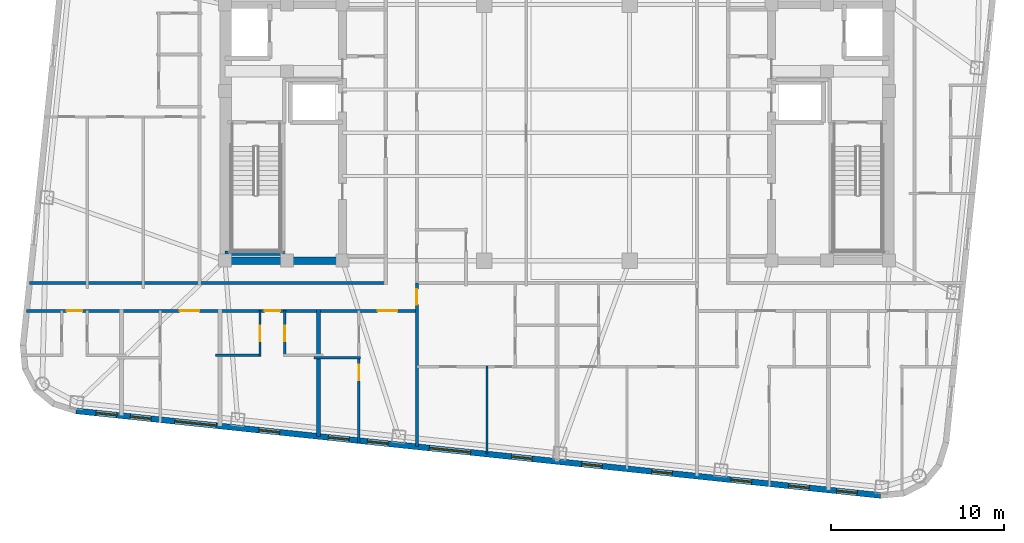
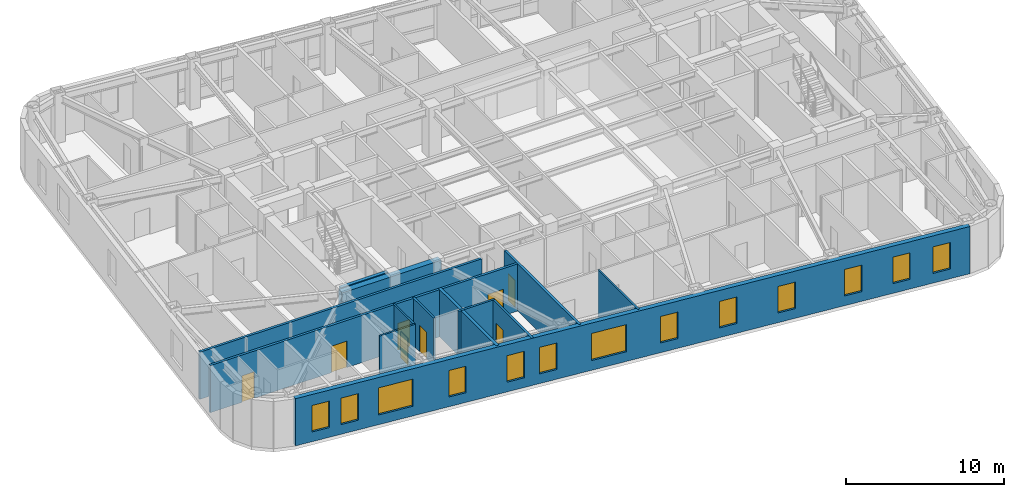
# One storey, part 8 of 16: 13 walls, 13 windows, 8 doors, 21 openings.
"""IFC4 building model written with IfcOpenShell, lengths in metres."""

from ifc_helpers import new_model, si_unit, direction, frame, frame_2d, origin, place, context, subcontext, project, spatial, rectangle, extrude, material, layer, layer_set, type_object, element, fill, save


model = new_model("IFC4")

# Units and contexts
model_context = context("Model", 3, precision=1e-05, world=origin(), true_north=direction((0.0, 1.0)))
body_context = subcontext(model_context, "Body", "Model", "MODEL_VIEW")
ifc_project = project(units=[si_unit("LENGTHUNIT", "METRE"), si_unit("AREAUNIT", "SQUARE_METRE"), si_unit("VOLUMEUNIT", "CUBIC_METRE"), si_unit("PLANEANGLEUNIT", "RADIAN"), si_unit("MASSUNIT", "GRAM", prefix="KILO")], contexts=[model_context])

# Site, building, storey
site_placement = place(None, origin())
site = spatial("IfcSite", under=ifc_project, at=site_placement, CompositionType="ELEMENT")
building_placement = place(site_placement, origin())
building = spatial("IfcBuilding", under=site, at=building_placement, Name="Voryun Gate Residences", CompositionType="ELEMENT")
storey_placement = place(building_placement, frame((0.0, 0.0, 267.800048828125)))
storey = spatial("IfcBuildingStorey", under=building, at=storey_placement, Name="L66", CompositionType="ELEMENT", Elevation=267.800048828125)

# Walls
ifc_material_1 = material(Name="Concrete C50/60", Category="concrete")
ifc_layer_1 = layer(ifc_material_1, 0.449951171875, Name="CW_CORE_450")
ifc_layer_set_1 = layer_set([ifc_layer_1], Name="Concrete C50/60")
wall_type_1 = type_object("IfcWallType", Name="CW_CORE_450", PredefinedType="SHEAR", material=ifc_layer_set_1)
wall_1_placement = place(storey_placement, frame((-19.425048828125, -7.39990234375, 0.0), z_axis=(0.0, 0.0, 1.0), x_axis=(1.0, 0.0, 0.0)))
element("IfcWall", 1, at=wall_1_placement, inside=storey, type_object=wall_type_1, Name="L66 Core shear wall CW-L66-WS", PredefinedType="SHEAR", context=body_context, shape_type="SweptSolid", body=[
    extrude(rectangle(XDim=7.25, YDim=0.449951171875, at=frame_2d((3.625, 0.0))), origin(), (0.0, 0.0, 1.0), 3.64990234375),
])
ifc_material_2 = material(Name="Gypsum acoustic fireboard")
ifc_layer_2 = layer(ifc_material_2, 0.179931640625, Name="W_CORR_RATED_180")
ifc_layer_set_2 = layer_set([ifc_layer_2], Name="Gypsum acoustic fireboard")
wall_type_2 = type_object("IfcWallType", Name="W_CORR_RATED_180", PredefinedType="PARTITIONING", material=ifc_layer_set_2)
wall_2_placement = place(storey_placement, frame((-30.4912109375, -8.68994140625, 0.0), z_axis=(0.0, 0.0, 1.0), x_axis=(1.0, 0.0, 0.0)))
element("IfcWall", 2, at=wall_2_placement, inside=storey, type_object=wall_type_2, Name="Partition wall WP-L66-CWING-WS", PredefinedType="PARTITIONING", context=body_context, shape_type="SweptSolid", body=[
    extrude(rectangle(XDim=20.611328125, YDim=0.179931640625, at=frame_2d((10.3056640625, 0.0))), origin(), (0.0, 0.0, 1.0), 3.64990234375),
])

# Wall, openings, doors
wall_3_placement = place(storey_placement, frame((-30.660400390625, -10.300048828125, 0.0), z_axis=(0.0, 0.0, 1.0), x_axis=(1.0, 0.0, 0.0)))
wall_3 = element("IfcWall", 3, at=wall_3_placement, inside=storey, type_object=wall_type_2, Name="Partition wall WP-L66-SCORR-W", PredefinedType="PARTITIONING", context=body_context, shape_type="SweptSolid", body=[
    extrude(rectangle(XDim=22.580322265625, YDim=0.179931640625, at=frame_2d((11.2900390625, 0.0))), origin(), (0.0, 0.0, 1.0), 3.64990234375),
])
opening_1_placement = place(wall_3_placement, frame((2.318359375, 0.0, 0.0)))
opening_1 = element("IfcOpeningElement", 4, at=opening_1_placement, cuts=wall_3, Name="Opening D-INT-2", PredefinedType="OPENING", context=body_context, shape_type="SweptSolid", body=[
    extrude(rectangle(XDim=0.89990234375, YDim=2.050048828125, at=frame_2d((0.449951171875, 1.02490234375))), frame((0.0, 0.099853515625, 0.0), z_axis=(0.0, -1.0, 0.0), x_axis=(1.0, 0.0, 0.0)), (0.0, 0.0, 1.0), 0.199951171875),
])
opening_2_placement = place(wall_3_placement, frame((8.845458984375, 0.0, 0.0)))
opening_2 = element("IfcOpeningElement", 5, at=opening_2_placement, cuts=wall_3, Name="Opening D-UNIT-1", PredefinedType="OPENING", context=body_context, shape_type="SweptSolid", body=[
    extrude(rectangle(XDim=1.14990234375, YDim=2.050048828125, at=frame_2d((0.574951171875, 1.02490234375))), frame((0.0, 0.099853515625, 0.0), z_axis=(0.0, -1.0, 0.0), x_axis=(1.0, 0.0, 0.0)), (0.0, 0.0, 1.0), 0.199951171875),
])
opening_3_placement = place(wall_3_placement, frame((13.757568359375, 0.0, 0.0)))
opening_3 = element("IfcOpeningElement", 6, at=opening_3_placement, cuts=wall_3, Name="Opening D-INT-2", PredefinedType="OPENING", context=body_context, shape_type="SweptSolid", body=[
    extrude(rectangle(XDim=0.89990234375, YDim=2.050048828125, at=frame_2d((0.449951171875, 1.02490234375))), frame((0.0, 0.099853515625, 0.0), z_axis=(0.0, -1.0, 0.0), x_axis=(1.0, 0.0, 0.0)), (0.0, 0.0, 1.0), 0.199951171875),
])
opening_4_placement = place(wall_3_placement, frame((20.29150390625, 0.0, 0.0)))
opening_4 = element("IfcOpeningElement", 7, at=opening_4_placement, cuts=wall_3, Name="Opening D-UNIT-1", PredefinedType="OPENING", context=body_context, shape_type="SweptSolid", body=[
    extrude(rectangle(XDim=1.14990234375, YDim=2.050048828125, at=frame_2d((0.574951171875, 1.02490234375))), frame((0.0, 0.099853515625, 0.0), z_axis=(0.0, -1.0, 0.0), x_axis=(1.0, 0.0, 0.0)), (0.0, 0.0, 1.0), 0.199951171875),
])
ifc_material_3 = material(Name="Architectural oak veneer")
door_type_1 = type_object("IfcDoorType", Name="DR_INT_BATH_900", OperationType="NOTDEFINED", PredefinedType="DOOR", material=ifc_material_3)
door_1_placement = place(opening_1_placement, origin())
door_1 = element("IfcDoor", 8, at=door_1_placement, inside=storey, type_object=door_type_1, Name="Door DR-L66-SENT-1", OperationType="SINGLE_SWING_RIGHT", OverallHeight=2.050048828125, OverallWidth=0.89990234375, PredefinedType="DOOR", context=body_context, shape_type="SweptSolid", body=[
    extrude(rectangle(XDim=0.89990234375, YDim=2.050048828125, at=frame_2d((0.449951171875, 1.02490234375))), frame((0.0, 0.02490234375, 0.0), z_axis=(0.0, -1.0, 0.0), x_axis=(1.0, 0.0, 0.0)), (0.0, 0.0, 1.0), 0.050048828125),
])
fill(opening_1, door_1)
door_2_placement = place(opening_3_placement, origin())
door_2 = element("IfcDoor", 9, at=door_2_placement, inside=storey, type_object=door_type_1, Name="Door DR-L66-SENT-3", OperationType="SINGLE_SWING_RIGHT", OverallHeight=2.050048828125, OverallWidth=0.89990234375, PredefinedType="DOOR", context=body_context, shape_type="SweptSolid", body=[
    extrude(rectangle(XDim=0.89990234375, YDim=2.050048828125, at=frame_2d((0.449951171875, 1.02490234375))), frame((0.0, 0.02490234375, 0.0), z_axis=(0.0, -1.0, 0.0), x_axis=(1.0, 0.0, 0.0)), (0.0, 0.0, 1.0), 0.050048828125),
])
fill(opening_3, door_2)
ifc_material_4 = material(Name="Armoured timber-clad fire door", Category="wood")
door_type_2 = type_object("IfcDoorType", Name="DR_UNIT_ENTRY_1150", OperationType="NOTDEFINED", PredefinedType="DOOR", material=ifc_material_4)
door_3_placement = place(opening_2_placement, origin())
door_3 = element("IfcDoor", 10, at=door_3_placement, inside=storey, type_object=door_type_2, Name="Door DR-L66-SENT-2", OperationType="SINGLE_SWING_LEFT", OverallHeight=2.050048828125, OverallWidth=1.14990234375, PredefinedType="DOOR", context=body_context, shape_type="SweptSolid", body=[
    extrude(rectangle(XDim=1.14990234375, YDim=2.050048828125, at=frame_2d((0.574951171875, 1.02490234375))), frame((0.0, 0.02490234375, 0.0), z_axis=(0.0, -1.0, 0.0), x_axis=(1.0, 0.0, 0.0)), (0.0, 0.0, 1.0), 0.050048828125),
])
fill(opening_2, door_3)
door_4_placement = place(opening_4_placement, origin())
door_4 = element("IfcDoor", 11, at=door_4_placement, inside=storey, type_object=door_type_2, Name="Door DR-L66-SENT-4", OperationType="SINGLE_SWING_LEFT", OverallHeight=2.050048828125, OverallWidth=1.14990234375, PredefinedType="DOOR", context=body_context, shape_type="SweptSolid", body=[
    extrude(rectangle(XDim=1.14990234375, YDim=2.050048828125, at=frame_2d((0.574951171875, 1.02490234375))), frame((0.0, 0.02490234375, 0.0), z_axis=(0.0, -1.0, 0.0), x_axis=(1.0, 0.0, 0.0)), (0.0, 0.0, 1.0), 0.050048828125),
])
fill(opening_4, door_4)

# Wall, opening, door
wall_4_placement = place(storey_placement, frame((-8.10009765625, -18.154541015625, 0.0), z_axis=(0.0, 0.0, 1.0), x_axis=(0.0, 1.0, 0.0)))
wall_4 = element("IfcWall", 12, at=wall_4_placement, inside=storey, type_object=wall_type_2, Name="Partition wall WP-L66-SZV-1", PredefinedType="PARTITIONING", context=body_context, shape_type="SweptSolid", body=[
    extrude(rectangle(XDim=9.464599609375, YDim=0.179931640625, at=frame_2d((4.732421875, 0.0))), origin(), (0.0, 0.0, 1.0), 3.64990234375),
])
opening_5_placement = place(wall_4_placement, frame((8.214599609375, 0.0, 0.0)))
opening_5 = element("IfcOpeningElement", 13, at=opening_5_placement, cuts=wall_4, Name="Opening D-INT-2", PredefinedType="OPENING", context=body_context, shape_type="SweptSolid", body=[
    extrude(rectangle(XDim=0.89990234375, YDim=2.050048828125, at=frame_2d((0.449951171875, 1.02490234375))), frame((0.0, 0.099853515625, 0.0), z_axis=(0.0, -1.0, 0.0), x_axis=(1.0, 0.0, 0.0)), (0.0, 0.0, 1.0), 0.199951171875),
])
door_5_placement = place(opening_5_placement, origin())
door_5 = element("IfcDoor", 14, at=door_5_placement, inside=storey, type_object=door_type_1, Name="Door DR-L66-SZENT-1", OperationType="SINGLE_SWING_LEFT", OverallHeight=2.050048828125, OverallWidth=0.89990234375, PredefinedType="DOOR", context=body_context, shape_type="SweptSolid", body=[
    extrude(rectangle(XDim=0.89990234375, YDim=2.050048828125, at=frame_2d((0.449951171875, 1.02490234375))), frame((0.0, 0.02490234375, 0.0), z_axis=(0.0, -1.0, 0.0), x_axis=(1.0, 0.0, 0.0)), (0.0, 0.0, 1.0), 0.050048828125),
])
fill(opening_5, door_5)

# Wall, openings, windows
ifc_material_5 = material(Name="Charcoal terracotta masonry", Category="masonry")
ifc_layer_3 = layer(ifc_material_5, 0.340087890625, Name="W_EXT_TERRACOTTA_340")
ifc_layer_set_3 = layer_set([ifc_layer_3], Name="Charcoal terracotta masonry")
wall_type_3 = type_object("IfcWallType", Name="W_EXT_TERRACOTTA_340", PredefinedType="ELEMENTEDWALL", material=ifc_layer_set_3)
wall_5_placement = place(storey_placement, frame((18.707763671875, -20.97216796875, 0.0), z_axis=(0.0, 0.0, 1.0), x_axis=(-0.994521888554, 0.104528528102, 0.0)))
wall_5 = element("IfcWall", 15, at=wall_5_placement, inside=storey, type_object=wall_type_3, Name="Exterior wall WEXT-L66-01", PredefinedType="ELEMENTEDWALL", context=body_context, shape_type="SweptSolid", body=[
    extrude(rectangle(XDim=46.766357421875, YDim=0.340087890625, at=frame_2d((23.38330078125, 0.0))), origin(), (0.0, 0.0, 1.0), 3.64990234375),
])
opening_6_placement = place(wall_5_placement, frame((23.833251953125, 0.0, 0.75)))
opening_6 = element("IfcOpeningElement", 16, at=opening_6_placement, cuts=wall_5, Name="Opening WN2", PredefinedType="OPENING", context=body_context, shape_type="SweptSolid", body=[
    extrude(rectangle(XDim=2.39990234375, YDim=2.10009765625, at=frame_2d((1.199951171875, 1.050048828125))), frame((0.0, 0.179931640625, 0.0), z_axis=(0.0, -1.0, 0.0), x_axis=(1.0, 0.0, 0.0)), (0.0, 0.0, 1.0), 0.360107421875),
])
opening_7_placement = place(wall_5_placement, frame((38.6220703125, 0.0, 0.75)))
opening_7 = element("IfcOpeningElement", 17, at=opening_7_placement, cuts=wall_5, Name="Opening WN2", PredefinedType="OPENING", context=body_context, shape_type="SweptSolid", body=[
    extrude(rectangle(XDim=2.39990234375, YDim=2.10009765625, at=frame_2d((1.199951171875, 1.050048828125))), frame((0.0, 0.179931640625, 0.0), z_axis=(0.0, -1.0, 0.0), x_axis=(1.0, 0.0, 0.0)), (0.0, 0.0, 1.0), 0.360107421875),
])
opening_8_placement = place(wall_5_placement, frame((44.40185546875, 0.0, 0.75)))
opening_8 = element("IfcOpeningElement", 18, at=opening_8_placement, cuts=wall_5, Name="Opening WN6", PredefinedType="OPENING", context=body_context, shape_type="SweptSolid", body=[
    extrude(rectangle(XDim=1.199951171875, YDim=2.050048828125, at=frame_2d((0.60009765625, 1.02490234375))), frame((0.0, 0.179931640625, 0.0), z_axis=(0.0, -1.0, 0.0), x_axis=(1.0, 0.0, 0.0)), (0.0, 0.0, 1.0), 0.360107421875),
])
opening_9_placement = place(wall_5_placement, frame((42.40576171875, 0.0, 0.75)))
opening_9 = element("IfcOpeningElement", 19, at=opening_9_placement, cuts=wall_5, Name="Opening WN6", PredefinedType="OPENING", context=body_context, shape_type="SweptSolid", body=[
    extrude(rectangle(XDim=1.199951171875, YDim=2.050048828125, at=frame_2d((0.60009765625, 1.02490234375))), frame((0.0, 0.179931640625, 0.0), z_axis=(0.0, -1.0, 0.0), x_axis=(1.0, 0.0, 0.0)), (0.0, 0.0, 1.0), 0.360107421875),
])
opening_10_placement = place(wall_5_placement, frame((34.93310546875, 0.0, 0.75)))
opening_10 = element("IfcOpeningElement", 20, at=opening_10_placement, cuts=wall_5, Name="Opening WN6", PredefinedType="OPENING", context=body_context, shape_type="SweptSolid", body=[
    extrude(rectangle(XDim=1.199951171875, YDim=2.050048828125, at=frame_2d((0.60009765625, 1.02490234375))), frame((0.0, 0.179931640625, 0.0), z_axis=(0.0, -1.0, 0.0), x_axis=(1.0, 0.0, 0.0)), (0.0, 0.0, 1.0), 0.360107421875),
])
opening_11_placement = place(wall_5_placement, frame((28.630859375, 0.0, 0.75)))
opening_11 = element("IfcOpeningElement", 21, at=opening_11_placement, cuts=wall_5, Name="Opening WN6", PredefinedType="OPENING", context=body_context, shape_type="SweptSolid", body=[
    extrude(rectangle(XDim=1.199951171875, YDim=2.050048828125, at=frame_2d((0.60009765625, 1.02490234375))), frame((0.0, 0.179931640625, 0.0), z_axis=(0.0, -1.0, 0.0), x_axis=(1.0, 0.0, 0.0)), (0.0, 0.0, 1.0), 0.360107421875),
])
opening_12_placement = place(wall_5_placement, frame((30.89599609375, 0.0, 0.75)))
opening_12 = element("IfcOpeningElement", 22, at=opening_12_placement, cuts=wall_5, Name="Opening WN6", PredefinedType="OPENING", context=body_context, shape_type="SweptSolid", body=[
    extrude(rectangle(XDim=1.199951171875, YDim=2.050048828125, at=frame_2d((0.60009765625, 1.02490234375))), frame((0.0, 0.179931640625, 0.0), z_axis=(0.0, -1.0, 0.0), x_axis=(1.0, 0.0, 0.0)), (0.0, 0.0, 1.0), 0.360107421875),
])
opening_13_placement = place(wall_5_placement, frame((7.4970703125, 0.0, 0.75)))
opening_13 = element("IfcOpeningElement", 23, at=opening_13_placement, cuts=wall_5, Name="Opening WN6", PredefinedType="OPENING", context=body_context, shape_type="SweptSolid", body=[
    extrude(rectangle(XDim=1.199951171875, YDim=2.050048828125, at=frame_2d((0.60009765625, 1.02490234375))), frame((0.0, 0.179931640625, 0.0), z_axis=(0.0, -1.0, 0.0), x_axis=(1.0, 0.0, 0.0)), (0.0, 0.0, 1.0), 0.360107421875),
])
opening_14_placement = place(wall_5_placement, frame((4.151123046875, 0.0, 0.75)))
opening_14 = element("IfcOpeningElement", 24, at=opening_14_placement, cuts=wall_5, Name="Opening WN6", PredefinedType="OPENING", context=body_context, shape_type="SweptSolid", body=[
    extrude(rectangle(XDim=1.199951171875, YDim=2.050048828125, at=frame_2d((0.60009765625, 1.02490234375))), frame((0.0, 0.179931640625, 0.0), z_axis=(0.0, -1.0, 0.0), x_axis=(1.0, 0.0, 0.0)), (0.0, 0.0, 1.0), 0.360107421875),
])
opening_15_placement = place(wall_5_placement, frame((1.36474609375, 0.0, 0.75)))
opening_15 = element("IfcOpeningElement", 25, at=opening_15_placement, cuts=wall_5, Name="Opening WN6", PredefinedType="OPENING", context=body_context, shape_type="SweptSolid", body=[
    extrude(rectangle(XDim=1.199951171875, YDim=2.050048828125, at=frame_2d((0.60009765625, 1.02490234375))), frame((0.0, 0.179931640625, 0.0), z_axis=(0.0, -1.0, 0.0), x_axis=(1.0, 0.0, 0.0)), (0.0, 0.0, 1.0), 0.360107421875),
])
opening_16_placement = place(wall_5_placement, frame((20.25439453125, 0.0, 0.75)))
opening_16 = element("IfcOpeningElement", 26, at=opening_16_placement, cuts=wall_5, Name="Opening WN6", PredefinedType="OPENING", context=body_context, shape_type="SweptSolid", body=[
    extrude(rectangle(XDim=1.199951171875, YDim=2.050048828125, at=frame_2d((0.60009765625, 1.02490234375))), frame((0.0, 0.179931640625, 0.0), z_axis=(0.0, -1.0, 0.0), x_axis=(1.0, 0.0, 0.0)), (0.0, 0.0, 1.0), 0.360107421875),
])
opening_17_placement = place(wall_5_placement, frame((16.172119140625, 0.0, 0.75)))
opening_17 = element("IfcOpeningElement", 27, at=opening_17_placement, cuts=wall_5, Name="Opening WN6", PredefinedType="OPENING", context=body_context, shape_type="SweptSolid", body=[
    extrude(rectangle(XDim=1.199951171875, YDim=2.050048828125, at=frame_2d((0.60009765625, 1.02490234375))), frame((0.0, 0.179931640625, 0.0), z_axis=(0.0, -1.0, 0.0), x_axis=(1.0, 0.0, 0.0)), (0.0, 0.0, 1.0), 0.360107421875),
])
opening_18_placement = place(wall_5_placement, frame((12.109619140625, 0.0, 0.75)))
opening_18 = element("IfcOpeningElement", 28, at=opening_18_placement, cuts=wall_5, Name="Opening WN6", PredefinedType="OPENING", context=body_context, shape_type="SweptSolid", body=[
    extrude(rectangle(XDim=1.199951171875, YDim=2.050048828125, at=frame_2d((0.60009765625, 1.02490234375))), frame((0.0, 0.179931640625, 0.0), z_axis=(0.0, -1.0, 0.0), x_axis=(1.0, 0.0, 0.0)), (0.0, 0.0, 1.0), 0.360107421875),
])
ifc_material_6 = material(Name="Laminated low-E glass", Category="glass")
window_type_1 = type_object("IfcWindowType", Name="WN_POD_SLOT_1200", PartitioningType="SINGLE_PANEL", PredefinedType="WINDOW", material=ifc_material_6)
window_1_placement = place(opening_8_placement, origin())
window_1 = element("IfcWindow", 29, at=window_1_placement, inside=storey, type_object=window_type_1, Name="Window WN-L66-DWFIX-04", OverallHeight=2.050048828125, OverallWidth=1.199951171875, PartitioningType="SINGLE_PANEL", PredefinedType="WINDOW", context=body_context, shape_type="SweptSolid", body=[
    extrude(rectangle(XDim=1.199951171875, YDim=2.050048828125, at=frame_2d((0.60009765625, 1.02490234375))), frame((0.0, 0.030029296875, 0.0), z_axis=(0.0, -1.0, 0.0), x_axis=(1.0, 0.0, 0.0)), (0.0, 0.0, 1.0), 0.06005859375),
])
fill(opening_8, window_1)
window_2_placement = place(opening_9_placement, origin())
window_2 = element("IfcWindow", 30, at=window_2_placement, inside=storey, type_object=window_type_1, Name="Window WN-L66-DWFIX-05", OverallHeight=2.050048828125, OverallWidth=1.199951171875, PartitioningType="SINGLE_PANEL", PredefinedType="WINDOW", context=body_context, shape_type="SweptSolid", body=[
    extrude(rectangle(XDim=1.199951171875, YDim=2.050048828125, at=frame_2d((0.60009765625, 1.02490234375))), frame((0.0, 0.030029296875, 0.0), z_axis=(0.0, -1.0, 0.0), x_axis=(1.0, 0.0, 0.0)), (0.0, 0.0, 1.0), 0.06005859375),
])
fill(opening_9, window_2)
window_3_placement = place(opening_10_placement, origin())
window_3 = element("IfcWindow", 31, at=window_3_placement, inside=storey, type_object=window_type_1, Name="Window WN-L66-DWFIX-06", OverallHeight=2.050048828125, OverallWidth=1.199951171875, PartitioningType="SINGLE_PANEL", PredefinedType="WINDOW", context=body_context, shape_type="SweptSolid", body=[
    extrude(rectangle(XDim=1.199951171875, YDim=2.050048828125, at=frame_2d((0.60009765625, 1.02490234375))), frame((0.0, 0.030029296875, 0.0), z_axis=(0.0, -1.0, 0.0), x_axis=(1.0, 0.0, 0.0)), (0.0, 0.0, 1.0), 0.06005859375),
])
fill(opening_10, window_3)
window_4_placement = place(opening_11_placement, origin())
window_4 = element("IfcWindow", 32, at=window_4_placement, inside=storey, type_object=window_type_1, Name="Window WN-L66-DWFIX-07", OverallHeight=2.050048828125, OverallWidth=1.199951171875, PartitioningType="SINGLE_PANEL", PredefinedType="WINDOW", context=body_context, shape_type="SweptSolid", body=[
    extrude(rectangle(XDim=1.199951171875, YDim=2.050048828125, at=frame_2d((0.60009765625, 1.02490234375))), frame((0.0, 0.030029296875, 0.0), z_axis=(0.0, -1.0, 0.0), x_axis=(1.0, 0.0, 0.0)), (0.0, 0.0, 1.0), 0.06005859375),
])
fill(opening_11, window_4)
window_5_placement = place(opening_12_placement, origin())
window_5 = element("IfcWindow", 33, at=window_5_placement, inside=storey, type_object=window_type_1, Name="Window WN-L66-DWFIX-08", OverallHeight=2.050048828125, OverallWidth=1.199951171875, PartitioningType="SINGLE_PANEL", PredefinedType="WINDOW", context=body_context, shape_type="SweptSolid", body=[
    extrude(rectangle(XDim=1.199951171875, YDim=2.050048828125, at=frame_2d((0.60009765625, 1.02490234375))), frame((0.0, 0.030029296875, 0.0), z_axis=(0.0, -1.0, 0.0), x_axis=(1.0, 0.0, 0.0)), (0.0, 0.0, 1.0), 0.06005859375),
])
fill(opening_12, window_5)
window_6_placement = place(opening_13_placement, origin())
window_6 = element("IfcWindow", 34, at=window_6_placement, inside=storey, type_object=window_type_1, Name="Window WN-L66-DWFIX-09", OverallHeight=2.050048828125, OverallWidth=1.199951171875, PartitioningType="SINGLE_PANEL", PredefinedType="WINDOW", context=body_context, shape_type="SweptSolid", body=[
    extrude(rectangle(XDim=1.199951171875, YDim=2.050048828125, at=frame_2d((0.60009765625, 1.02490234375))), frame((0.0, 0.030029296875, 0.0), z_axis=(0.0, -1.0, 0.0), x_axis=(1.0, 0.0, 0.0)), (0.0, 0.0, 1.0), 0.06005859375),
])
fill(opening_13, window_6)
window_7_placement = place(opening_14_placement, origin())
window_7 = element("IfcWindow", 35, at=window_7_placement, inside=storey, type_object=window_type_1, Name="Window WN-L66-DWFIX-10", OverallHeight=2.050048828125, OverallWidth=1.199951171875, PartitioningType="SINGLE_PANEL", PredefinedType="WINDOW", context=body_context, shape_type="SweptSolid", body=[
    extrude(rectangle(XDim=1.199951171875, YDim=2.050048828125, at=frame_2d((0.60009765625, 1.02490234375))), frame((0.0, 0.030029296875, 0.0), z_axis=(0.0, -1.0, 0.0), x_axis=(1.0, 0.0, 0.0)), (0.0, 0.0, 1.0), 0.06005859375),
])
fill(opening_14, window_7)
window_8_placement = place(opening_15_placement, origin())
window_8 = element("IfcWindow", 36, at=window_8_placement, inside=storey, type_object=window_type_1, Name="Window WN-L66-DWFIX-11", OverallHeight=2.050048828125, OverallWidth=1.199951171875, PartitioningType="SINGLE_PANEL", PredefinedType="WINDOW", context=body_context, shape_type="SweptSolid", body=[
    extrude(rectangle(XDim=1.199951171875, YDim=2.050048828125, at=frame_2d((0.60009765625, 1.02490234375))), frame((0.0, 0.030029296875, 0.0), z_axis=(0.0, -1.0, 0.0), x_axis=(1.0, 0.0, 0.0)), (0.0, 0.0, 1.0), 0.06005859375),
])
fill(opening_15, window_8)
window_9_placement = place(opening_16_placement, origin())
window_9 = element("IfcWindow", 37, at=window_9_placement, inside=storey, type_object=window_type_1, Name="Window WN-L66-DWFIX-13", OverallHeight=2.050048828125, OverallWidth=1.199951171875, PartitioningType="SINGLE_PANEL", PredefinedType="WINDOW", context=body_context, shape_type="SweptSolid", body=[
    extrude(rectangle(XDim=1.199951171875, YDim=2.050048828125, at=frame_2d((0.60009765625, 1.02490234375))), frame((0.0, 0.030029296875, 0.0), z_axis=(0.0, -1.0, 0.0), x_axis=(1.0, 0.0, 0.0)), (0.0, 0.0, 1.0), 0.06005859375),
])
fill(opening_16, window_9)
window_10_placement = place(opening_17_placement, origin())
window_10 = element("IfcWindow", 38, at=window_10_placement, inside=storey, type_object=window_type_1, Name="Window WN-L66-DWFIX-14", OverallHeight=2.050048828125, OverallWidth=1.199951171875, PartitioningType="SINGLE_PANEL", PredefinedType="WINDOW", context=body_context, shape_type="SweptSolid", body=[
    extrude(rectangle(XDim=1.199951171875, YDim=2.050048828125, at=frame_2d((0.60009765625, 1.02490234375))), frame((0.0, 0.030029296875, 0.0), z_axis=(0.0, -1.0, 0.0), x_axis=(1.0, 0.0, 0.0)), (0.0, 0.0, 1.0), 0.06005859375),
])
fill(opening_17, window_10)
window_11_placement = place(opening_18_placement, origin())
window_11 = element("IfcWindow", 39, at=window_11_placement, inside=storey, type_object=window_type_1, Name="Window WN-L66-DWFIX-15", OverallHeight=2.050048828125, OverallWidth=1.199951171875, PartitioningType="SINGLE_PANEL", PredefinedType="WINDOW", context=body_context, shape_type="SweptSolid", body=[
    extrude(rectangle(XDim=1.199951171875, YDim=2.050048828125, at=frame_2d((0.60009765625, 1.02490234375))), frame((0.0, 0.030029296875, 0.0), z_axis=(0.0, -1.0, 0.0), x_axis=(1.0, 0.0, 0.0)), (0.0, 0.0, 1.0), 0.06005859375),
])
fill(opening_18, window_11)
ifc_material_7 = material(Name="Laminated low-E glass", Category="glass")
window_type_2 = type_object("IfcWindowType", Name="WN_RES_WIDE_2400", PartitioningType="SINGLE_PANEL", PredefinedType="WINDOW", material=ifc_material_7)
window_12_placement = place(opening_6_placement, origin())
window_12 = element("IfcWindow", 40, at=window_12_placement, inside=storey, type_object=window_type_2, Name="Window WN-WEXT-L66-01-02", OverallHeight=2.10009765625, OverallWidth=2.39990234375, PartitioningType="SINGLE_PANEL", PredefinedType="WINDOW", context=body_context, shape_type="SweptSolid", body=[
    extrude(rectangle(XDim=2.39990234375, YDim=2.10009765625, at=frame_2d((1.199951171875, 1.050048828125))), frame((0.0, 0.030029296875, 0.0), z_axis=(0.0, -1.0, 0.0), x_axis=(1.0, 0.0, 0.0)), (0.0, 0.0, 1.0), 0.06005859375),
])
fill(opening_6, window_12)
window_13_placement = place(opening_7_placement, origin())
window_13 = element("IfcWindow", 41, at=window_13_placement, inside=storey, type_object=window_type_2, Name="Window WN-WEXT-L66-01-03", OverallHeight=2.10009765625, OverallWidth=2.39990234375, PartitioningType="SINGLE_PANEL", PredefinedType="WINDOW", context=body_context, shape_type="SweptSolid", body=[
    extrude(rectangle(XDim=2.39990234375, YDim=2.10009765625, at=frame_2d((1.199951171875, 1.050048828125))), frame((0.0, 0.030029296875, 0.0), z_axis=(0.0, -1.0, 0.0), x_axis=(1.0, 0.0, 0.0)), (0.0, 0.0, 1.0), 0.06005859375),
])
fill(opening_7, window_13)

# Walls
ifc_material_8 = material(Name="Concrete C40/50", Category="concrete")
ifc_layer_4 = layer(ifc_material_8, 0.219970703125, Name="W_PARTY_ACOUSTIC_220")
ifc_layer_set_4 = layer_set([ifc_layer_4], Name="Concrete C40/50")
wall_type_4 = type_object("IfcWallType", Name="W_PARTY_ACOUSTIC_220", PredefinedType="PARTITIONING", material=ifc_layer_set_4)
wall_6_placement = place(storey_placement, frame((-13.779052734375, -17.5576171875, 0.0), z_axis=(0.0, 0.0, 1.0), x_axis=(0.0, 1.0, 0.0)))
element("IfcWall", 42, at=wall_6_placement, inside=storey, type_object=wall_type_4, Name="Partition wall WP-L66-SPTY-3", PredefinedType="PARTITIONING", context=body_context, shape_type="SweptSolid", body=[
    extrude(rectangle(XDim=7.337646484375, YDim=0.219970703125, at=frame_2d((3.6689453125, 0.0))), origin(), (0.0, 0.0, 1.0), 3.64990234375),
])
ifc_material_9 = material(Name="Concrete C50/60", Category="concrete")
ifc_layer_5 = layer(ifc_material_9, 0.25, Name="W_SHAFT_RC250")
ifc_layer_set_5 = layer_set([ifc_layer_5], Name="Concrete C50/60")
wall_type_5 = type_object("IfcWallType", Name="W_SHAFT_RC250", PredefinedType="SOLIDWALL", material=ifc_layer_set_5)
wall_7_placement = place(storey_placement, frame((-19.199951171875, -6.965087890625, 0.0), z_axis=(0.0, 0.0, 1.0), x_axis=(1.0, 0.0, 0.0)))
element("IfcWall", 43, at=wall_7_placement, inside=storey, type_object=wall_type_5, Name="L66 Stair shaft structural wall W-STS", PredefinedType="SOLIDWALL", context=body_context, shape_type="SweptSolid", body=[
    extrude(rectangle(XDim=3.4599609375, YDim=0.25, at=frame_2d((1.72998046875, 0.0))), origin(), (0.0, 0.0, 1.0), 3.64990234375),
])

# Wall, opening, door
ifc_material_10 = material(Name="Gypsum acoustic partition")
ifc_layer_6 = layer(ifc_material_10, 0.125, Name="W_UNIT_PART_125")
ifc_layer_set_6 = layer_set([ifc_layer_6], Name="Gypsum acoustic partition")
wall_type_6 = type_object("IfcWallType", Name="W_UNIT_PART_125", PredefinedType="PARTITIONING", material=ifc_layer_set_6)
wall_8_placement = place(storey_placement, frame((-17.16796875, -12.929931640625, 0.0), z_axis=(0.0, 0.0, 1.0), x_axis=(0.0, 1.0, 0.0)))
wall_8 = element("IfcWall", 44, at=wall_8_placement, inside=storey, type_object=wall_type_6, Name="Partition wall WP-L66-S3-CVK", PredefinedType="PARTITIONING", context=body_context, shape_type="SweptSolid", body=[
    extrude(rectangle(XDim=2.64990234375, YDim=0.125, at=frame_2d((1.324951171875, 0.0))), origin(), (0.0, 0.0, 1.0), 3.64990234375),
])
opening_19_placement = place(wall_8_placement, frame((0.875, 0.0, 0.0)))
opening_19 = element("IfcOpeningElement", 45, at=opening_19_placement, cuts=wall_8, Name="Opening D-INT-2", PredefinedType="OPENING", context=body_context, shape_type="SweptSolid", body=[
    extrude(rectangle(XDim=0.89990234375, YDim=2.050048828125, at=frame_2d((0.449951171875, 1.02490234375))), frame((0.0, 0.072509765625, 0.0), z_axis=(0.0, -1.0, 0.0), x_axis=(1.0, 0.0, 0.0)), (0.0, 0.0, 1.0), 0.14501953125),
])
door_6_placement = place(opening_19_placement, origin())
door_6 = element("IfcDoor", 46, at=door_6_placement, inside=storey, type_object=door_type_1, Name="Door DR-L66-S3-DK", OperationType="SINGLE_SWING_LEFT", OverallHeight=2.050048828125, OverallWidth=0.89990234375, PredefinedType="DOOR", context=body_context, shape_type="SweptSolid", body=[
    extrude(rectangle(XDim=0.89990234375, YDim=2.050048828125, at=frame_2d((0.449951171875, 1.02490234375))), frame((0.0, 0.02490234375, 0.0), z_axis=(0.0, -1.0, 0.0), x_axis=(1.0, 0.0, 0.0)), (0.0, 0.0, 1.0), 0.050048828125),
])
fill(opening_19, door_6)

# Walls
wall_9_placement = place(storey_placement, frame((-19.738037109375, -12.8701171875, 0.0), z_axis=(0.0, 0.0, 1.0), x_axis=(1.0, 0.0, 0.0)))
element("IfcWall", 47, at=wall_9_placement, inside=storey, type_object=wall_type_6, Name="Partition wall WP-L66-S3-CHK", PredefinedType="PARTITIONING", context=body_context, shape_type="SweptSolid", body=[
    extrude(rectangle(XDim=2.630126953125, YDim=0.125, at=frame_2d((1.31494140625, 0.0))), origin(), (0.0, 0.0, 1.0), 3.64990234375),
])
wall_10_placement = place(storey_placement, frame((-4.050048828125, -18.580078125, 0.0), z_axis=(0.0, 0.0, 1.0), x_axis=(0.0, 1.0, 0.0)))
element("IfcWall", 48, at=wall_10_placement, inside=storey, type_object=wall_type_6, Name="Partition wall WP-L66-SC1-VBD", PredefinedType="PARTITIONING", context=body_context, shape_type="SweptSolid", body=[
    extrude(rectangle(XDim=5.090087890625, YDim=0.125, at=frame_2d((2.544921875, 0.0))), origin(), (0.0, 0.0, 1.0), 3.64990234375),
])

# Wall, opening, door
ifc_material_11 = material(Name="Gypsum moisture-resistant partition")
ifc_layer_7 = layer(ifc_material_11, 0.14990234375, Name="W_WET_PLUMB_150")
ifc_layer_set_7 = layer_set([ifc_layer_7], Name="Gypsum moisture-resistant partition")
wall_type_7 = type_object("IfcWallType", Name="W_WET_PLUMB_150", PredefinedType="PLUMBINGWALL", material=ifc_layer_set_7)
wall_11_placement = place(storey_placement, frame((-15.736083984375, -12.929931640625, 0.0), z_axis=(0.0, 0.0, 1.0), x_axis=(0.0, 1.0, 0.0)))
wall_11 = element("IfcWall", 49, at=wall_11_placement, inside=storey, type_object=wall_type_7, Name="Partition wall WP-L66-S3-CVB", PredefinedType="PLUMBINGWALL", context=body_context, shape_type="SweptSolid", body=[
    extrude(rectangle(XDim=2.64990234375, YDim=0.14990234375, at=frame_2d((1.324951171875, 0.0))), origin(), (0.0, 0.0, 1.0), 3.64990234375),
])
opening_20_placement = place(wall_11_placement, frame((0.875, 0.0, 0.0)))
opening_20 = element("IfcOpeningElement", 50, at=opening_20_placement, cuts=wall_11, Name="Opening D-INT-2", PredefinedType="OPENING", context=body_context, shape_type="SweptSolid", body=[
    extrude(rectangle(XDim=0.89990234375, YDim=2.050048828125, at=frame_2d((0.449951171875, 1.02490234375))), frame((0.0, 0.0849609375, 0.0), z_axis=(0.0, -1.0, 0.0), x_axis=(1.0, 0.0, 0.0)), (0.0, 0.0, 1.0), 0.169921875),
])
door_7_placement = place(opening_20_placement, origin())
door_7 = element("IfcDoor", 51, at=door_7_placement, inside=storey, type_object=door_type_1, Name="Door DR-L66-S3-DB", OperationType="SINGLE_SWING_RIGHT", OverallHeight=2.050048828125, OverallWidth=0.89990234375, PredefinedType="DOOR", context=body_context, shape_type="SweptSolid", body=[
    extrude(rectangle(XDim=0.89990234375, YDim=2.050048828125, at=frame_2d((0.449951171875, 1.02490234375))), frame((0.0, 0.02490234375, 0.0), z_axis=(0.0, -1.0, 0.0), x_axis=(1.0, 0.0, 0.0)), (0.0, 0.0, 1.0), 0.050048828125),
])
fill(opening_20, door_7)

# Wall
wall_12_placement = place(storey_placement, frame((-14.0390625, -13.0, 0.0), z_axis=(0.0, 0.0, 1.0), x_axis=(1.0, 0.0, 0.0)))
element("IfcWall", 52, at=wall_12_placement, inside=storey, type_object=wall_type_7, Name="Partition wall WP-L66-S4-SKB", PredefinedType="PLUMBINGWALL", context=body_context, shape_type="SweptSolid", body=[
    extrude(rectangle(XDim=2.671142578125, YDim=0.14990234375, at=frame_2d((1.33544921875, 0.0))), origin(), (0.0, 0.0, 1.0), 3.64990234375),
])

# Wall, opening, door
wall_13_placement = place(storey_placement, frame((-11.447998046875, -17.95361328125, 0.0), z_axis=(0.0, 0.0, 1.0), x_axis=(0.0, 1.0, 0.0)))
wall_13 = element("IfcWall", 53, at=wall_13_placement, inside=storey, type_object=wall_type_7, Name="Partition wall WP-L66-S4-SVT1", PredefinedType="PLUMBINGWALL", context=body_context, shape_type="SweptSolid", body=[
    extrude(rectangle(XDim=4.99365234375, YDim=0.14990234375, at=frame_2d((2.496826171875, 0.0))), origin(), (0.0, 0.0, 1.0), 3.64990234375),
])
opening_21_placement = place(wall_13_placement, frame((3.644775390625, 0.0, 0.0)))
opening_21 = element("IfcOpeningElement", 54, at=opening_21_placement, cuts=wall_13, Name="Opening D-INT-2", PredefinedType="OPENING", context=body_context, shape_type="SweptSolid", body=[
    extrude(rectangle(XDim=0.89990234375, YDim=2.050048828125, at=frame_2d((0.449951171875, 1.02490234375))), frame((0.0, 0.0849609375, 0.0), z_axis=(0.0, -1.0, 0.0), x_axis=(1.0, 0.0, 0.0)), (0.0, 0.0, 1.0), 0.169921875),
])
door_8_placement = place(opening_21_placement, origin())
door_8 = element("IfcDoor", 55, at=door_8_placement, inside=storey, type_object=door_type_1, Name="Door DR-L66-S4-DK", OperationType="SINGLE_SWING_LEFT", OverallHeight=2.050048828125, OverallWidth=0.89990234375, PredefinedType="DOOR", context=body_context, shape_type="SweptSolid", body=[
    extrude(rectangle(XDim=0.89990234375, YDim=2.050048828125, at=frame_2d((0.449951171875, 1.02490234375))), frame((0.0, 0.02490234375, 0.0), z_axis=(0.0, -1.0, 0.0), x_axis=(1.0, 0.0, 0.0)), (0.0, 0.0, 1.0), 0.050048828125),
])
fill(opening_21, door_8)

save(model, "model.ifc")
